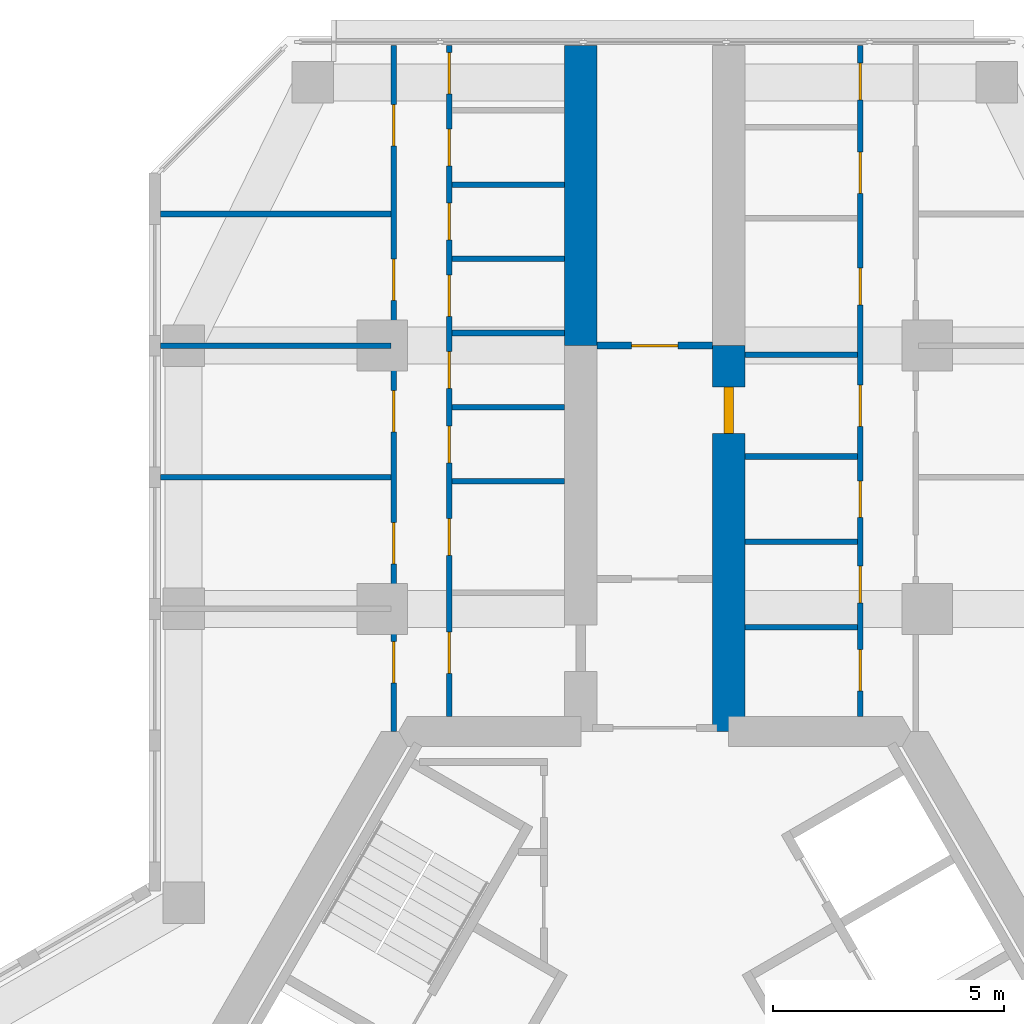
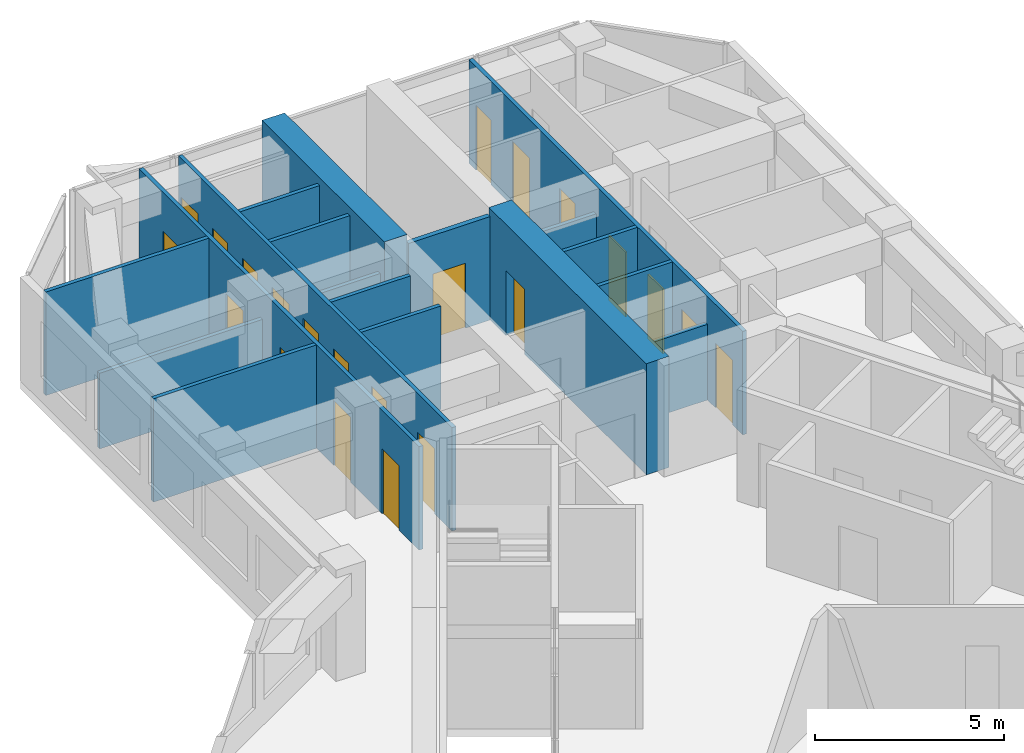
# One storey, part 14 of 16: 22 doors, 18 walls, 22 openings.
"""IFC4 building model written with IfcOpenShell, lengths in metres."""

from ifc_helpers import new_model, si_unit, direction, frame, frame_2d, origin, place, context, subcontext, project, spatial, rectangle, extrude, material, layer, layer_set, type_object, element, fill, save


model = new_model("IFC4")

# Units and contexts
model_context = context("Model", 3, precision=1e-05, world=origin(), true_north=direction((0.0, 1.0)))
body_context = subcontext(model_context, "Body", "Model", "MODEL_VIEW")
ifc_project = project(units=[si_unit("LENGTHUNIT", "METRE"), si_unit("AREAUNIT", "SQUARE_METRE"), si_unit("VOLUMEUNIT", "CUBIC_METRE"), si_unit("PLANEANGLEUNIT", "RADIAN"), si_unit("MASSUNIT", "GRAM", prefix="KILO")], contexts=[model_context])

# Site, building, storey
site_placement = place(None, origin())
site = spatial("IfcSite", under=ifc_project, at=site_placement, CompositionType="ELEMENT")
building_placement = place(site_placement, origin())
building = spatial("IfcBuilding", under=site, at=building_placement, Name="Kosmar Iwan School Tower", CompositionType="ELEMENT")
storey_placement = place(building_placement, frame((0.0, 0.0, 215.39990234375)))
storey = spatial("IfcBuildingStorey", under=building, at=storey_placement, Name="L54", CompositionType="ELEMENT", Elevation=215.39990234375)

# Wall
ifc_material_1 = material(Name="Concrete C50/60", Category="concrete")
ifc_layer_1 = layer(ifc_material_1, 0.699951171875)
ifc_layer_set_1 = layer_set([ifc_layer_1], Name="Corridor buttress wall 700")
wall_type_1 = type_object("IfcWallType", Name="Corridor buttress wall 700", PredefinedType="SHEAR", material=ifc_layer_set_1)
wall_1_placement = place(storey_placement, frame((-1.60009765625, 17.949951171875, 0.0), z_axis=(0.0, 0.0, 1.0), x_axis=(0.0, 1.0, 0.0)))
element("IfcWall", 1, at=wall_1_placement, inside=storey, type_object=wall_type_1, Name="Corridor wall AL bay 2", PredefinedType="SHEAR", context=body_context, shape_type="SweptSolid", body=[
    extrude(rectangle(XDim=6.4951171875, YDim=0.699951171875, at=frame_2d((3.24755859375, 0.0))), origin(), (0.0, 0.0, 1.0), 3.60009765625),
])

# Wall, opening, door
wall_2_placement = place(storey_placement, frame((1.60009765625, 9.60009765625, 0.0), z_axis=(0.0, 0.0, 1.0), x_axis=(0.0, 1.0, 0.0)))
wall_2 = element("IfcWall", 2, at=wall_2_placement, inside=storey, type_object=wall_type_1, Name="Corridor wall AR", PredefinedType="SHEAR", context=body_context, shape_type="SweptSolid", body=[
    extrude(rectangle(XDim=8.349853515625, YDim=0.699951171875, at=frame_2d((4.1748046875, 0.0))), origin(), (0.0, 0.0, 1.0), 3.60009765625),
])
opening_1_placement = place(wall_2_placement, frame((6.449951171875, 0.0, 0.0)))
opening_1 = element("IfcOpeningElement", 3, at=opening_1_placement, cuts=wall_2, Name="Opening D1", PredefinedType="OPENING", context=body_context, shape_type="SweptSolid", body=[
    extrude(rectangle(XDim=1.0, YDim=2.10009765625, at=frame_2d((0.5, 1.050048828125))), frame((0.0, 0.362060546875, 0.0), z_axis=(0.0, -1.0, 0.0), x_axis=(1.0, 0.0, 0.0)), (0.0, 0.0, 1.0), 0.723876953125),
])
ifc_material_2 = material(Name="Timber fire door in steel frame", Category="steel")
door_type_1 = type_object("IfcDoorType", Name="Flat entrance door 1000x2100", OperationType="SINGLE_SWING_LEFT", PredefinedType="DOOR", material=ifc_material_2)
door_1_placement = place(opening_1_placement, origin())
door_1 = element("IfcDoor", 4, at=door_1_placement, inside=storey, type_object=door_type_1, Name="Flat L54-AR1 entrance door", OperationType="SINGLE_SWING_RIGHT", OverallHeight=2.10009765625, OverallWidth=1.0, PredefinedType="DOOR", context=body_context, shape_type="SweptSolid", body=[
    extrude(rectangle(XDim=1.0, YDim=2.10009765625, at=frame_2d((0.5, 1.050048828125))), frame((0.0, 0.10009765625, 0.0), z_axis=(0.0, -1.0, 0.0), x_axis=(1.0, 0.0, 0.0)), (0.0, 0.0, 1.0), 0.199951171875),
])
fill(opening_1, door_1)

ifc_material_3 = material(Name="Gypsum board on steel studs, fire-rated", Category="steel")
ifc_layer_2 = layer(ifc_material_3, 0.14990234375)
ifc_layer_set_2 = layer_set([ifc_layer_2], Name="Corridor end wall 150")
wall_type_2 = type_object("IfcWallType", Name="Corridor end wall 150", PredefinedType="PARTITIONING", material=ifc_layer_set_2)
wall_3_placement = place(storey_placement, frame((1.25, 17.949951171875, 0.0), z_axis=(0.0, 0.0, 1.0), x_axis=(-1.0, 0.0, 0.0)))
wall_3 = element("IfcWall", 5, at=wall_3_placement, inside=storey, type_object=wall_type_2, Name="Partition L54-A-CE", PredefinedType="PARTITIONING", context=body_context, shape_type="SweptSolid", body=[
    extrude(rectangle(XDim=2.5, YDim=0.14990234375, at=frame_2d((1.25, 0.0))), origin(), (0.0, 0.0, 1.0), 3.35009765625),
])
opening_2_placement = place(wall_3_placement, frame((0.75, 0.0, 0.0)))
opening_2 = element("IfcOpeningElement", 6, at=opening_2_placement, cuts=wall_3, Name="Opening D13", PredefinedType="OPENING", context=body_context, shape_type="SweptSolid", body=[
    extrude(rectangle(XDim=1.0, YDim=2.10009765625, at=frame_2d((0.5, 1.050048828125))), frame((0.0, 0.0869140625, 0.0), z_axis=(0.0, -1.0, 0.0), x_axis=(1.0, 0.0, 0.0)), (0.0, 0.0, 1.0), 0.173828125),
])
ifc_material_4 = material(Name="Timber fire door with vision panel", Category="wood")
door_type_2 = type_object("IfcDoorType", Name="Corridor end door 1000x2100", OperationType="SINGLE_SWING_LEFT", PredefinedType="DOOR", material=ifc_material_4)
door_2_placement = place(opening_2_placement, origin())
door_2 = element("IfcDoor", 7, at=door_2_placement, inside=storey, type_object=door_type_2, Name="Reading room door L54-A", OperationType="SINGLE_SWING_LEFT", OverallHeight=2.10009765625, OverallWidth=1.0, PredefinedType="DOOR", context=body_context, shape_type="SweptSolid", body=[
    extrude(rectangle(XDim=1.0, YDim=2.10009765625, at=frame_2d((0.5, 1.050048828125))), frame((0.0, 0.02490234375, 0.0), z_axis=(0.0, -1.0, 0.0), x_axis=(1.0, 0.0, 0.0)), (0.0, 0.0, 1.0), 0.050048828125),
])
fill(opening_2, door_2)

# Wall, openings, doors
ifc_material_5 = material(Name="Gypsum board on steel studs", Category="steel")
ifc_layer_3 = layer(ifc_material_5, 0.1201171875)
ifc_layer_set_3 = layer_set([ifc_layer_3], Name="Dwelling partition 120")
wall_type_3 = type_object("IfcWallType", Name="Dwelling partition 120", PredefinedType="PARTITIONING", material=ifc_layer_set_3)
wall_4_placement = place(storey_placement, frame((-4.449951171875, 9.925048828125, 0.0), z_axis=(0.0, 0.0, 1.0), x_axis=(0.0, 1.0, 0.0)))
wall_4 = element("IfcWall", 8, at=wall_4_placement, inside=storey, type_object=wall_type_3, Name="Partition L54-AL1-W1", PredefinedType="PARTITIONING", context=body_context, shape_type="SweptSolid", body=[
    extrude(rectangle(XDim=14.52001953125, YDim=0.1201171875, at=frame_2d((7.260009765625, 0.0))), origin(), (0.0, 0.0, 1.0), 3.35009765625),
])
opening_3_placement = place(wall_4_placement, frame((0.925048828125, 0.0, 0.0)))
opening_3 = element("IfcOpeningElement", 9, at=opening_3_placement, cuts=wall_4, Name="Opening D2", PredefinedType="OPENING", context=body_context, shape_type="SweptSolid", body=[
    extrude(rectangle(XDim=0.89990234375, YDim=2.10009765625, at=frame_2d((0.449951171875, 1.050048828125))), frame((0.0, 0.072021484375, 0.0), z_axis=(0.0, -1.0, 0.0), x_axis=(1.0, 0.0, 0.0)), (0.0, 0.0, 1.0), 0.14404296875),
])
opening_4_placement = place(wall_4_placement, frame((3.47998046875, 0.0, 0.0)))
opening_4 = element("IfcOpeningElement", 10, at=opening_4_placement, cuts=wall_4, Name="Opening D3", PredefinedType="OPENING", context=body_context, shape_type="SweptSolid", body=[
    extrude(rectangle(XDim=0.800048828125, YDim=2.10009765625, at=frame_2d((0.39990234375, 1.050048828125))), frame((0.0, 0.072021484375, 0.0), z_axis=(0.0, -1.0, 0.0), x_axis=(1.0, 0.0, 0.0)), (0.0, 0.0, 1.0), 0.14404296875),
])
opening_5_placement = place(wall_4_placement, frame((5.48828125, 0.0, 0.0)))
opening_5 = element("IfcOpeningElement", 11, at=opening_5_placement, cuts=wall_4, Name="Opening D3", PredefinedType="OPENING", context=body_context, shape_type="SweptSolid", body=[
    extrude(rectangle(XDim=0.800048828125, YDim=2.10009765625, at=frame_2d((0.39990234375, 1.050048828125))), frame((0.0, 0.072021484375, 0.0), z_axis=(0.0, -1.0, 0.0), x_axis=(1.0, 0.0, 0.0)), (0.0, 0.0, 1.0), 0.14404296875),
])
opening_6_placement = place(wall_4_placement, frame((7.094970703125, 0.0, 0.0)))
opening_6 = element("IfcOpeningElement", 12, at=opening_6_placement, cuts=wall_4, Name="Opening D3", PredefinedType="OPENING", context=body_context, shape_type="SweptSolid", body=[
    extrude(rectangle(XDim=0.800048828125, YDim=2.10009765625, at=frame_2d((0.39990234375, 1.050048828125))), frame((0.0, 0.072021484375, 0.0), z_axis=(0.0, -1.0, 0.0), x_axis=(1.0, 0.0, 0.0)), (0.0, 0.0, 1.0), 0.14404296875),
])
opening_7_placement = place(wall_4_placement, frame((8.651611328125, 0.0, 0.0)))
opening_7 = element("IfcOpeningElement", 13, at=opening_7_placement, cuts=wall_4, Name="Opening D2", PredefinedType="OPENING", context=body_context, shape_type="SweptSolid", body=[
    extrude(rectangle(XDim=0.89990234375, YDim=2.10009765625, at=frame_2d((0.449951171875, 1.050048828125))), frame((0.0, 0.072021484375, 0.0), z_axis=(0.0, -1.0, 0.0), x_axis=(1.0, 0.0, 0.0)), (0.0, 0.0, 1.0), 0.14404296875),
])
opening_8_placement = place(wall_4_placement, frame((10.308349609375, 0.0, 0.0)))
opening_8 = element("IfcOpeningElement", 14, at=opening_8_placement, cuts=wall_4, Name="Opening D3", PredefinedType="OPENING", context=body_context, shape_type="SweptSolid", body=[
    extrude(rectangle(XDim=0.800048828125, YDim=2.10009765625, at=frame_2d((0.39990234375, 1.050048828125))), frame((0.0, 0.072021484375, 0.0), z_axis=(0.0, -1.0, 0.0), x_axis=(1.0, 0.0, 0.0)), (0.0, 0.0, 1.0), 0.14404296875),
])
opening_9_placement = place(wall_4_placement, frame((11.9150390625, 0.0, 0.0)))
opening_9 = element("IfcOpeningElement", 15, at=opening_9_placement, cuts=wall_4, Name="Opening D3", PredefinedType="OPENING", context=body_context, shape_type="SweptSolid", body=[
    extrude(rectangle(XDim=0.800048828125, YDim=2.10009765625, at=frame_2d((0.39990234375, 1.050048828125))), frame((0.0, 0.072021484375, 0.0), z_axis=(0.0, -1.0, 0.0), x_axis=(1.0, 0.0, 0.0)), (0.0, 0.0, 1.0), 0.14404296875),
])
opening_10_placement = place(wall_4_placement, frame((13.4716796875, 0.0, 0.0)))
opening_10 = element("IfcOpeningElement", 16, at=opening_10_placement, cuts=wall_4, Name="Opening D2", PredefinedType="OPENING", context=body_context, shape_type="SweptSolid", body=[
    extrude(rectangle(XDim=0.89990234375, YDim=2.10009765625, at=frame_2d((0.449951171875, 1.050048828125))), frame((0.0, 0.072021484375, 0.0), z_axis=(0.0, -1.0, 0.0), x_axis=(1.0, 0.0, 0.0)), (0.0, 0.0, 1.0), 0.14404296875),
])
ifc_material_6 = material(Name="Timber door in timber frame", Category="wood")
door_type_3 = type_object("IfcDoorType", Name="Internal door 900x2100", OperationType="SINGLE_SWING_LEFT", PredefinedType="DOOR", material=ifc_material_6)
door_3_placement = place(opening_3_placement, origin())
door_3 = element("IfcDoor", 17, at=door_3_placement, inside=storey, type_object=door_type_3, Name="Entrance hall door L54-AL1-S1", OperationType="SINGLE_SWING_LEFT", OverallHeight=2.10009765625, OverallWidth=0.89990234375, PredefinedType="DOOR", context=body_context, shape_type="SweptSolid", body=[
    extrude(rectangle(XDim=0.89990234375, YDim=2.10009765625, at=frame_2d((0.449951171875, 1.050048828125))), frame((0.0, 0.02490234375, 0.0), z_axis=(0.0, -1.0, 0.0), x_axis=(1.0, 0.0, 0.0)), (0.0, 0.0, 1.0), 0.050048828125),
])
fill(opening_3, door_3)
door_4_placement = place(opening_7_placement, origin())
door_4 = element("IfcDoor", 18, at=door_4_placement, inside=storey, type_object=door_type_3, Name="Pantry door L54-AL1-S5", OperationType="SINGLE_SWING_RIGHT", OverallHeight=2.10009765625, OverallWidth=0.89990234375, PredefinedType="DOOR", context=body_context, shape_type="SweptSolid", body=[
    extrude(rectangle(XDim=0.89990234375, YDim=2.10009765625, at=frame_2d((0.449951171875, 1.050048828125))), frame((0.0, 0.02490234375, 0.0), z_axis=(0.0, -1.0, 0.0), x_axis=(1.0, 0.0, 0.0)), (0.0, 0.0, 1.0), 0.050048828125),
])
fill(opening_7, door_4)
door_5_placement = place(opening_10_placement, origin())
door_5 = element("IfcDoor", 19, at=door_5_placement, inside=storey, type_object=door_type_3, Name="Utility room door L54-AL1-S8", OperationType="SINGLE_SWING_RIGHT", OverallHeight=2.10009765625, OverallWidth=0.89990234375, PredefinedType="DOOR", context=body_context, shape_type="SweptSolid", body=[
    extrude(rectangle(XDim=0.89990234375, YDim=2.10009765625, at=frame_2d((0.449951171875, 1.050048828125))), frame((0.0, 0.02490234375, 0.0), z_axis=(0.0, -1.0, 0.0), x_axis=(1.0, 0.0, 0.0)), (0.0, 0.0, 1.0), 0.050048828125),
])
fill(opening_10, door_5)
ifc_material_7 = material(Name="Timber door in timber frame", Category="wood")
door_type_4 = type_object("IfcDoorType", Name="Sanitary room door 800x2100", OperationType="SINGLE_SWING_LEFT", PredefinedType="DOOR", material=ifc_material_7)
door_6_placement = place(opening_4_placement, origin())
door_6 = element("IfcDoor", 20, at=door_6_placement, inside=storey, type_object=door_type_4, Name="Bathroom door L54-AL1-S2", OperationType="SINGLE_SWING_LEFT", OverallHeight=2.10009765625, OverallWidth=0.800048828125, PredefinedType="DOOR", context=body_context, shape_type="SweptSolid", body=[
    extrude(rectangle(XDim=0.800048828125, YDim=2.10009765625, at=frame_2d((0.39990234375, 1.050048828125))), frame((0.0, 0.02490234375, 0.0), z_axis=(0.0, -1.0, 0.0), x_axis=(1.0, 0.0, 0.0)), (0.0, 0.0, 1.0), 0.050048828125),
])
fill(opening_4, door_6)
door_7_placement = place(opening_5_placement, origin())
door_7 = element("IfcDoor", 21, at=door_7_placement, inside=storey, type_object=door_type_4, Name="Grandparents' shower room door L54-AL1-S3", OperationType="SINGLE_SWING_LEFT", OverallHeight=2.10009765625, OverallWidth=0.800048828125, PredefinedType="DOOR", context=body_context, shape_type="SweptSolid", body=[
    extrude(rectangle(XDim=0.800048828125, YDim=2.10009765625, at=frame_2d((0.39990234375, 1.050048828125))), frame((0.0, 0.02490234375, 0.0), z_axis=(0.0, -1.0, 0.0), x_axis=(1.0, 0.0, 0.0)), (0.0, 0.0, 1.0), 0.050048828125),
])
fill(opening_5, door_7)
door_8_placement = place(opening_6_placement, origin())
door_8 = element("IfcDoor", 22, at=door_8_placement, inside=storey, type_object=door_type_4, Name="Shower room door L54-AL1-S4", OperationType="SINGLE_SWING_RIGHT", OverallHeight=2.10009765625, OverallWidth=0.800048828125, PredefinedType="DOOR", context=body_context, shape_type="SweptSolid", body=[
    extrude(rectangle(XDim=0.800048828125, YDim=2.10009765625, at=frame_2d((0.39990234375, 1.050048828125))), frame((0.0, 0.02490234375, 0.0), z_axis=(0.0, -1.0, 0.0), x_axis=(1.0, 0.0, 0.0)), (0.0, 0.0, 1.0), 0.050048828125),
])
fill(opening_6, door_8)
door_9_placement = place(opening_8_placement, origin())
door_9 = element("IfcDoor", 23, at=door_9_placement, inside=storey, type_object=door_type_4, Name="WC door L54-AL1-S6", OperationType="SINGLE_SWING_RIGHT", OverallHeight=2.10009765625, OverallWidth=0.800048828125, PredefinedType="DOOR", context=body_context, shape_type="SweptSolid", body=[
    extrude(rectangle(XDim=0.800048828125, YDim=2.10009765625, at=frame_2d((0.39990234375, 1.050048828125))), frame((0.0, 0.02490234375, 0.0), z_axis=(0.0, -1.0, 0.0), x_axis=(1.0, 0.0, 0.0)), (0.0, 0.0, 1.0), 0.050048828125),
])
fill(opening_8, door_9)
door_10_placement = place(opening_9_placement, origin())
door_10 = element("IfcDoor", 24, at=door_10_placement, inside=storey, type_object=door_type_4, Name="Store door L54-AL1-S7", OperationType="SINGLE_SWING_RIGHT", OverallHeight=2.10009765625, OverallWidth=0.800048828125, PredefinedType="DOOR", context=body_context, shape_type="SweptSolid", body=[
    extrude(rectangle(XDim=0.800048828125, YDim=2.10009765625, at=frame_2d((0.39990234375, 1.050048828125))), frame((0.0, 0.02490234375, 0.0), z_axis=(0.0, -1.0, 0.0), x_axis=(1.0, 0.0, 0.0)), (0.0, 0.0, 1.0), 0.050048828125),
])
fill(opening_9, door_10)

wall_5_placement = place(storey_placement, frame((-5.64990234375, 9.60009765625, 0.0), z_axis=(0.0, 0.0, 1.0), x_axis=(0.0, 1.0, 0.0)))
wall_5 = element("IfcWall", 25, at=wall_5_placement, inside=storey, type_object=wall_type_3, Name="Partition L54-AL1-W2", PredefinedType="PARTITIONING", context=body_context, shape_type="SweptSolid", body=[
    extrude(rectangle(XDim=14.844970703125, YDim=0.1201171875, at=frame_2d((7.42236328125, 0.0))), origin(), (0.0, 0.0, 1.0), 3.35009765625),
])
opening_11_placement = place(wall_5_placement, frame((1.050048828125, 0.0, 0.0)))
opening_11 = element("IfcOpeningElement", 26, at=opening_11_placement, cuts=wall_5, Name="Opening D2", PredefinedType="OPENING", context=body_context, shape_type="SweptSolid", body=[
    extrude(rectangle(XDim=0.89990234375, YDim=2.10009765625, at=frame_2d((0.449951171875, 1.050048828125))), frame((0.0, 0.072021484375, 0.0), z_axis=(0.0, -1.0, 0.0), x_axis=(1.0, 0.0, 0.0)), (0.0, 0.0, 1.0), 0.14404296875),
])
opening_12_placement = place(wall_5_placement, frame((3.625, 0.0, 0.0)))
opening_12 = element("IfcOpeningElement", 27, at=opening_12_placement, cuts=wall_5, Name="Opening D2", PredefinedType="OPENING", context=body_context, shape_type="SweptSolid", body=[
    extrude(rectangle(XDim=0.89990234375, YDim=2.10009765625, at=frame_2d((0.449951171875, 1.050048828125))), frame((0.0, 0.072021484375, 0.0), z_axis=(0.0, -1.0, 0.0), x_axis=(1.0, 0.0, 0.0)), (0.0, 0.0, 1.0), 0.14404296875),
])
opening_13_placement = place(wall_5_placement, frame((6.47509765625, 0.0, 0.0)))
opening_13 = element("IfcOpeningElement", 28, at=opening_13_placement, cuts=wall_5, Name="Opening D2", PredefinedType="OPENING", context=body_context, shape_type="SweptSolid", body=[
    extrude(rectangle(XDim=0.89990234375, YDim=2.10009765625, at=frame_2d((0.449951171875, 1.050048828125))), frame((0.0, 0.072021484375, 0.0), z_axis=(0.0, -1.0, 0.0), x_axis=(1.0, 0.0, 0.0)), (0.0, 0.0, 1.0), 0.14404296875),
])
opening_14_placement = place(wall_5_placement, frame((9.324951171875, 0.0, 0.0)))
opening_14 = element("IfcOpeningElement", 29, at=opening_14_placement, cuts=wall_5, Name="Opening D2", PredefinedType="OPENING", context=body_context, shape_type="SweptSolid", body=[
    extrude(rectangle(XDim=0.89990234375, YDim=2.10009765625, at=frame_2d((0.449951171875, 1.050048828125))), frame((0.0, 0.072021484375, 0.0), z_axis=(0.0, -1.0, 0.0), x_axis=(1.0, 0.0, 0.0)), (0.0, 0.0, 1.0), 0.14404296875),
])
opening_15_placement = place(wall_5_placement, frame((12.675048828125, 0.0, 0.0)))
opening_15 = element("IfcOpeningElement", 30, at=opening_15_placement, cuts=wall_5, Name="Opening D2", PredefinedType="OPENING", context=body_context, shape_type="SweptSolid", body=[
    extrude(rectangle(XDim=0.89990234375, YDim=2.10009765625, at=frame_2d((0.449951171875, 1.050048828125))), frame((0.0, 0.072021484375, 0.0), z_axis=(0.0, -1.0, 0.0), x_axis=(1.0, 0.0, 0.0)), (0.0, 0.0, 1.0), 0.14404296875),
])
door_11_placement = place(opening_11_placement, origin())
door_11 = element("IfcDoor", 31, at=door_11_placement, inside=storey, type_object=door_type_3, Name="Family room and kitchen door L54-AL1-F1", OperationType="SINGLE_SWING_LEFT", OverallHeight=2.10009765625, OverallWidth=0.89990234375, PredefinedType="DOOR", context=body_context, shape_type="SweptSolid", body=[
    extrude(rectangle(XDim=0.89990234375, YDim=2.10009765625, at=frame_2d((0.449951171875, 1.050048828125))), frame((0.0, 0.02490234375, 0.0), z_axis=(0.0, -1.0, 0.0), x_axis=(1.0, 0.0, 0.0)), (0.0, 0.0, 1.0), 0.050048828125),
])
fill(opening_11, door_11)
door_12_placement = place(opening_12_placement, origin())
door_12 = element("IfcDoor", 32, at=door_12_placement, inside=storey, type_object=door_type_3, Name="Study door L54-AL1-F2", OperationType="SINGLE_SWING_RIGHT", OverallHeight=2.10009765625, OverallWidth=0.89990234375, PredefinedType="DOOR", context=body_context, shape_type="SweptSolid", body=[
    extrude(rectangle(XDim=0.89990234375, YDim=2.10009765625, at=frame_2d((0.449951171875, 1.050048828125))), frame((0.0, 0.02490234375, 0.0), z_axis=(0.0, -1.0, 0.0), x_axis=(1.0, 0.0, 0.0)), (0.0, 0.0, 1.0), 0.050048828125),
])
fill(opening_12, door_12)
door_13_placement = place(opening_13_placement, origin())
door_13 = element("IfcDoor", 33, at=door_13_placement, inside=storey, type_object=door_type_3, Name="Bedroom 2 door L54-AL1-F3", OperationType="SINGLE_SWING_LEFT", OverallHeight=2.10009765625, OverallWidth=0.89990234375, PredefinedType="DOOR", context=body_context, shape_type="SweptSolid", body=[
    extrude(rectangle(XDim=0.89990234375, YDim=2.10009765625, at=frame_2d((0.449951171875, 1.050048828125))), frame((0.0, 0.02490234375, 0.0), z_axis=(0.0, -1.0, 0.0), x_axis=(1.0, 0.0, 0.0)), (0.0, 0.0, 1.0), 0.050048828125),
])
fill(opening_13, door_13)
door_14_placement = place(opening_14_placement, origin())
door_14 = element("IfcDoor", 34, at=door_14_placement, inside=storey, type_object=door_type_3, Name="Bedroom 1 door L54-AL1-F4", OperationType="SINGLE_SWING_RIGHT", OverallHeight=2.10009765625, OverallWidth=0.89990234375, PredefinedType="DOOR", context=body_context, shape_type="SweptSolid", body=[
    extrude(rectangle(XDim=0.89990234375, YDim=2.10009765625, at=frame_2d((0.449951171875, 1.050048828125))), frame((0.0, 0.02490234375, 0.0), z_axis=(0.0, -1.0, 0.0), x_axis=(1.0, 0.0, 0.0)), (0.0, 0.0, 1.0), 0.050048828125),
])
fill(opening_14, door_14)
door_15_placement = place(opening_15_placement, origin())
door_15 = element("IfcDoor", 35, at=door_15_placement, inside=storey, type_object=door_type_3, Name="Grandparents' suite door L54-AL1-F5", OperationType="SINGLE_SWING_RIGHT", OverallHeight=2.10009765625, OverallWidth=0.89990234375, PredefinedType="DOOR", context=body_context, shape_type="SweptSolid", body=[
    extrude(rectangle(XDim=0.89990234375, YDim=2.10009765625, at=frame_2d((0.449951171875, 1.050048828125))), frame((0.0, 0.02490234375, 0.0), z_axis=(0.0, -1.0, 0.0), x_axis=(1.0, 0.0, 0.0)), (0.0, 0.0, 1.0), 0.050048828125),
])
fill(opening_15, door_15)

# Walls
wall_6_placement = place(storey_placement, frame((-5.7099609375, 15.10009765625, 0.0), z_axis=(0.0, 0.0, 1.0), x_axis=(-1.0, 0.0, 0.0)))
element("IfcWall", 36, at=wall_6_placement, inside=storey, type_object=wall_type_3, Name="Partition L54-AL1-X2", PredefinedType="PARTITIONING", context=body_context, shape_type="SweptSolid", body=[
    extrude(rectangle(XDim=4.989990234375, YDim=0.1201171875, at=frame_2d((2.4951171875, 0.0))), origin(), (0.0, 0.0, 1.0), 3.35009765625),
])
wall_7_placement = place(storey_placement, frame((-5.7099609375, 17.949951171875, 0.0), z_axis=(0.0, 0.0, 1.0), x_axis=(-1.0, 0.0, 0.0)))
element("IfcWall", 37, at=wall_7_placement, inside=storey, type_object=wall_type_3, Name="Partition L54-AL1-X3", PredefinedType="PARTITIONING", context=body_context, shape_type="SweptSolid", body=[
    extrude(rectangle(XDim=4.989990234375, YDim=0.1201171875, at=frame_2d((2.4951171875, 0.0))), origin(), (0.0, 0.0, 1.0), 2.4501953125),
])
wall_8_placement = place(storey_placement, frame((-5.7099609375, 20.800048828125, 0.0), z_axis=(0.0, 0.0, 1.0), x_axis=(-1.0, 0.0, 0.0)))
element("IfcWall", 38, at=wall_8_placement, inside=storey, type_object=wall_type_3, Name="Partition L54-AL1-X4", PredefinedType="PARTITIONING", context=body_context, shape_type="SweptSolid", body=[
    extrude(rectangle(XDim=4.989990234375, YDim=0.1201171875, at=frame_2d((2.4951171875, 0.0))), origin(), (0.0, 0.0, 1.0), 3.35009765625),
])
for number, where, z_axis, x_axis, name in (
    (39, (-1.949951171875, 15.010009765625, 0.0), (0.0, 0.0, 1.0), (-1.0, 0.0, 0.0), "Partition L54-AL1-Y2"),
    (40, (-1.949951171875, 16.61669921875, 0.0), (0.0, 0.0, 1.0), (-1.0, 0.0, 0.0), "Partition L54-AL1-Y3"),
):
    element("IfcWall", number, at=place(storey_placement, frame(where, z_axis=z_axis, x_axis=x_axis)), inside=storey, type_object=wall_type_3, Name=name, PredefinedType="PARTITIONING", context=body_context, shape_type="SweptSolid", body=[
        extrude(rectangle(XDim=2.43994140625, YDim=0.1201171875, at=frame_2d((1.219970703125, 0.0))), origin(), (0.0, 0.0, 1.0), 3.35009765625),
    ])
wall_9_placement = place(storey_placement, frame((-1.949951171875, 18.223388671875, 0.0), z_axis=(0.0, 0.0, 1.0), x_axis=(-1.0, 0.0, 0.0)))
element("IfcWall", 41, at=wall_9_placement, inside=storey, type_object=wall_type_3, Name="Partition L54-AL1-Y4", PredefinedType="PARTITIONING", context=body_context, shape_type="SweptSolid", body=[
    extrude(rectangle(XDim=2.43994140625, YDim=0.1201171875, at=frame_2d((1.219970703125, 0.0))), origin(), (0.0, 0.0, 1.0), 2.4501953125),
])
for number, where, z_axis, x_axis, name in (
    (42, (-1.949951171875, 19.830078125, 0.0), (0.0, 0.0, 1.0), (-1.0, 0.0, 0.0), "Partition L54-AL1-Y5"),
    (43, (-1.949951171875, 21.436767578125, 0.0), (0.0, 0.0, 1.0), (-1.0, 0.0, 0.0), "Partition L54-AL1-Y6"),
):
    element("IfcWall", number, at=place(storey_placement, frame(where, z_axis=z_axis, x_axis=x_axis)), inside=storey, type_object=wall_type_3, Name=name, PredefinedType="PARTITIONING", context=body_context, shape_type="SweptSolid", body=[
        extrude(rectangle(XDim=2.43994140625, YDim=0.1201171875, at=frame_2d((1.219970703125, 0.0))), origin(), (0.0, 0.0, 1.0), 3.35009765625),
    ])

# Wall, openings, doors
wall_10_placement = place(storey_placement, frame((4.449951171875, 9.925048828125, 0.0), z_axis=(0.0, 0.0, 1.0), x_axis=(0.0, 1.0, 0.0)))
wall_10 = element("IfcWall", 44, at=wall_10_placement, inside=storey, type_object=wall_type_3, Name="Partition L54-AR1-W1", PredefinedType="PARTITIONING", context=body_context, shape_type="SweptSolid", body=[
    extrude(rectangle(XDim=14.52001953125, YDim=0.1201171875, at=frame_2d((7.260009765625, 0.0))), origin(), (0.0, 0.0, 1.0), 3.35009765625),
])
opening_16_placement = place(wall_10_placement, frame((0.550048828125, 0.0, 0.0)))
opening_16 = element("IfcOpeningElement", 45, at=opening_16_placement, cuts=wall_10, Name="Opening D2", PredefinedType="OPENING", context=body_context, shape_type="SweptSolid", body=[
    extrude(rectangle(XDim=0.89990234375, YDim=2.10009765625, at=frame_2d((0.449951171875, 1.050048828125))), frame((0.0, 0.072021484375, 0.0), z_axis=(0.0, -1.0, 0.0), x_axis=(1.0, 0.0, 0.0)), (0.0, 0.0, 1.0), 0.14404296875),
])
opening_17_placement = place(wall_10_placement, frame((2.449951171875, 0.0, 0.0)))
opening_17 = element("IfcOpeningElement", 46, at=opening_17_placement, cuts=wall_10, Name="Opening D3", PredefinedType="OPENING", context=body_context, shape_type="SweptSolid", body=[
    extrude(rectangle(XDim=0.800048828125, YDim=2.10009765625, at=frame_2d((0.39990234375, 1.050048828125))), frame((0.0, 0.072021484375, 0.0), z_axis=(0.0, -1.0, 0.0), x_axis=(1.0, 0.0, 0.0)), (0.0, 0.0, 1.0), 0.14404296875),
])
opening_18_placement = place(wall_10_placement, frame((4.300048828125, 0.0, 0.0)))
opening_18 = element("IfcOpeningElement", 47, at=opening_18_placement, cuts=wall_10, Name="Opening D3", PredefinedType="OPENING", context=body_context, shape_type="SweptSolid", body=[
    extrude(rectangle(XDim=0.800048828125, YDim=2.10009765625, at=frame_2d((0.39990234375, 1.050048828125))), frame((0.0, 0.072021484375, 0.0), z_axis=(0.0, -1.0, 0.0), x_axis=(1.0, 0.0, 0.0)), (0.0, 0.0, 1.0), 0.14404296875),
])
opening_19_placement = place(wall_10_placement, frame((6.27490234375, 0.0, 0.0)))
opening_19 = element("IfcOpeningElement", 48, at=opening_19_placement, cuts=wall_10, Name="Opening D2", PredefinedType="OPENING", context=body_context, shape_type="SweptSolid", body=[
    extrude(rectangle(XDim=0.89990234375, YDim=2.10009765625, at=frame_2d((0.449951171875, 1.050048828125))), frame((0.0, 0.072021484375, 0.0), z_axis=(0.0, -1.0, 0.0), x_axis=(1.0, 0.0, 0.0)), (0.0, 0.0, 1.0), 0.14404296875),
])
opening_20_placement = place(wall_10_placement, frame((8.903564453125, 0.0, 0.0)))
opening_20 = element("IfcOpeningElement", 49, at=opening_20_placement, cuts=wall_10, Name="Opening D3", PredefinedType="OPENING", context=body_context, shape_type="SweptSolid", body=[
    extrude(rectangle(XDim=0.800048828125, YDim=2.10009765625, at=frame_2d((0.39990234375, 1.050048828125))), frame((0.0, 0.072021484375, 0.0), z_axis=(0.0, -1.0, 0.0), x_axis=(1.0, 0.0, 0.0)), (0.0, 0.0, 1.0), 0.14404296875),
])
opening_21_placement = place(wall_10_placement, frame((11.31787109375, 0.0, 0.0)))
opening_21 = element("IfcOpeningElement", 50, at=opening_21_placement, cuts=wall_10, Name="Opening D2", PredefinedType="OPENING", context=body_context, shape_type="SweptSolid", body=[
    extrude(rectangle(XDim=0.89990234375, YDim=2.10009765625, at=frame_2d((0.449951171875, 1.050048828125))), frame((0.0, 0.072021484375, 0.0), z_axis=(0.0, -1.0, 0.0), x_axis=(1.0, 0.0, 0.0)), (0.0, 0.0, 1.0), 0.14404296875),
])
opening_22_placement = place(wall_10_placement, frame((13.33935546875, 0.0, 0.0)))
opening_22 = element("IfcOpeningElement", 51, at=opening_22_placement, cuts=wall_10, Name="Opening D3", PredefinedType="OPENING", context=body_context, shape_type="SweptSolid", body=[
    extrude(rectangle(XDim=0.800048828125, YDim=2.10009765625, at=frame_2d((0.39990234375, 1.050048828125))), frame((0.0, 0.072021484375, 0.0), z_axis=(0.0, -1.0, 0.0), x_axis=(1.0, 0.0, 0.0)), (0.0, 0.0, 1.0), 0.14404296875),
])
door_16_placement = place(opening_16_placement, origin())
door_16 = element("IfcDoor", 52, at=door_16_placement, inside=storey, type_object=door_type_3, Name="Utility room door L54-AR1-S1", OperationType="SINGLE_SWING_LEFT", OverallHeight=2.10009765625, OverallWidth=0.89990234375, PredefinedType="DOOR", context=body_context, shape_type="SweptSolid", body=[
    extrude(rectangle(XDim=0.89990234375, YDim=2.10009765625, at=frame_2d((0.449951171875, 1.050048828125))), frame((0.0, 0.02490234375, 0.0), z_axis=(0.0, -1.0, 0.0), x_axis=(1.0, 0.0, 0.0)), (0.0, 0.0, 1.0), 0.050048828125),
])
fill(opening_16, door_16)
door_17_placement = place(opening_19_placement, origin())
door_17 = element("IfcDoor", 53, at=door_17_placement, inside=storey, type_object=door_type_3, Name="Entrance hall door L54-AR1-S4", OperationType="SINGLE_SWING_RIGHT", OverallHeight=2.10009765625, OverallWidth=0.89990234375, PredefinedType="DOOR", context=body_context, shape_type="SweptSolid", body=[
    extrude(rectangle(XDim=0.89990234375, YDim=2.10009765625, at=frame_2d((0.449951171875, 1.050048828125))), frame((0.0, 0.02490234375, 0.0), z_axis=(0.0, -1.0, 0.0), x_axis=(1.0, 0.0, 0.0)), (0.0, 0.0, 1.0), 0.050048828125),
])
fill(opening_19, door_17)
door_18_placement = place(opening_21_placement, origin())
door_18 = element("IfcDoor", 54, at=door_18_placement, inside=storey, type_object=door_type_3, Name="Pantry door L54-AR1-S6", OperationType="SINGLE_SWING_RIGHT", OverallHeight=2.10009765625, OverallWidth=0.89990234375, PredefinedType="DOOR", context=body_context, shape_type="SweptSolid", body=[
    extrude(rectangle(XDim=0.89990234375, YDim=2.10009765625, at=frame_2d((0.449951171875, 1.050048828125))), frame((0.0, 0.02490234375, 0.0), z_axis=(0.0, -1.0, 0.0), x_axis=(1.0, 0.0, 0.0)), (0.0, 0.0, 1.0), 0.050048828125),
])
fill(opening_21, door_18)
door_19_placement = place(opening_17_placement, origin())
door_19 = element("IfcDoor", 55, at=door_19_placement, inside=storey, type_object=door_type_4, Name="WC door L54-AR1-S2", OperationType="SINGLE_SWING_RIGHT", OverallHeight=2.10009765625, OverallWidth=0.800048828125, PredefinedType="DOOR", context=body_context, shape_type="SweptSolid", body=[
    extrude(rectangle(XDim=0.800048828125, YDim=2.10009765625, at=frame_2d((0.39990234375, 1.050048828125))), frame((0.0, 0.02490234375, 0.0), z_axis=(0.0, -1.0, 0.0), x_axis=(1.0, 0.0, 0.0)), (0.0, 0.0, 1.0), 0.050048828125),
])
fill(opening_17, door_19)
door_20_placement = place(opening_18_placement, origin())
door_20 = element("IfcDoor", 56, at=door_20_placement, inside=storey, type_object=door_type_4, Name="Shower room door L54-AR1-S3", OperationType="SINGLE_SWING_LEFT", OverallHeight=2.10009765625, OverallWidth=0.800048828125, PredefinedType="DOOR", context=body_context, shape_type="SweptSolid", body=[
    extrude(rectangle(XDim=0.800048828125, YDim=2.10009765625, at=frame_2d((0.39990234375, 1.050048828125))), frame((0.0, 0.02490234375, 0.0), z_axis=(0.0, -1.0, 0.0), x_axis=(1.0, 0.0, 0.0)), (0.0, 0.0, 1.0), 0.050048828125),
])
fill(opening_18, door_20)
door_21_placement = place(opening_20_placement, origin())
door_21 = element("IfcDoor", 57, at=door_21_placement, inside=storey, type_object=door_type_4, Name="Bathroom door L54-AR1-S5", OperationType="SINGLE_SWING_LEFT", OverallHeight=2.10009765625, OverallWidth=0.800048828125, PredefinedType="DOOR", context=body_context, shape_type="SweptSolid", body=[
    extrude(rectangle(XDim=0.800048828125, YDim=2.10009765625, at=frame_2d((0.39990234375, 1.050048828125))), frame((0.0, 0.02490234375, 0.0), z_axis=(0.0, -1.0, 0.0), x_axis=(1.0, 0.0, 0.0)), (0.0, 0.0, 1.0), 0.050048828125),
])
fill(opening_20, door_21)
door_22_placement = place(opening_22_placement, origin())
door_22 = element("IfcDoor", 58, at=door_22_placement, inside=storey, type_object=door_type_4, Name="Store door L54-AR1-S7", OperationType="SINGLE_SWING_RIGHT", OverallHeight=2.10009765625, OverallWidth=0.800048828125, PredefinedType="DOOR", context=body_context, shape_type="SweptSolid", body=[
    extrude(rectangle(XDim=0.800048828125, YDim=2.10009765625, at=frame_2d((0.39990234375, 1.050048828125))), frame((0.0, 0.02490234375, 0.0), z_axis=(0.0, -1.0, 0.0), x_axis=(1.0, 0.0, 0.0)), (0.0, 0.0, 1.0), 0.050048828125),
])
fill(opening_22, door_22)

# Walls
wall_11_placement = place(storey_placement, frame((1.949951171875, 11.85009765625, 0.0), z_axis=(0.0, 0.0, 1.0), x_axis=(1.0, 0.0, 0.0)))
element("IfcWall", 59, at=wall_11_placement, inside=storey, type_object=wall_type_3, Name="Partition L54-AR1-Y1", PredefinedType="PARTITIONING", context=body_context, shape_type="SweptSolid", body=[
    extrude(rectangle(XDim=2.43994140625, YDim=0.1201171875, at=frame_2d((1.219970703125, 0.0))), origin(), (0.0, 0.0, 1.0), 2.4501953125),
])
for number, where, z_axis, x_axis, name in (
    (60, (1.949951171875, 13.699951171875, 0.0), (0.0, 0.0, 1.0), (1.0, 0.0, 0.0), "Partition L54-AR1-Y2"),
    (61, (1.949951171875, 15.550048828125, 0.0), (0.0, 0.0, 1.0), (1.0, 0.0, 0.0), "Partition L54-AR1-Y3"),
):
    element("IfcWall", number, at=place(storey_placement, frame(where, z_axis=z_axis, x_axis=x_axis)), inside=storey, type_object=wall_type_3, Name=name, PredefinedType="PARTITIONING", context=body_context, shape_type="SweptSolid", body=[
        extrude(rectangle(XDim=2.43994140625, YDim=0.1201171875, at=frame_2d((1.219970703125, 0.0))), origin(), (0.0, 0.0, 1.0), 3.35009765625),
    ])
wall_12_placement = place(storey_placement, frame((1.949951171875, 17.75, 0.0), z_axis=(0.0, 0.0, 1.0), x_axis=(1.0, 0.0, 0.0)))
element("IfcWall", 62, at=wall_12_placement, inside=storey, type_object=wall_type_3, Name="Partition L54-AR1-Y4", PredefinedType="PARTITIONING", context=body_context, shape_type="SweptSolid", body=[
    extrude(rectangle(XDim=2.43994140625, YDim=0.1201171875, at=frame_2d((1.219970703125, 0.0))), origin(), (0.0, 0.0, 1.0), 2.4501953125),
])

save(model, "model.ifc")
